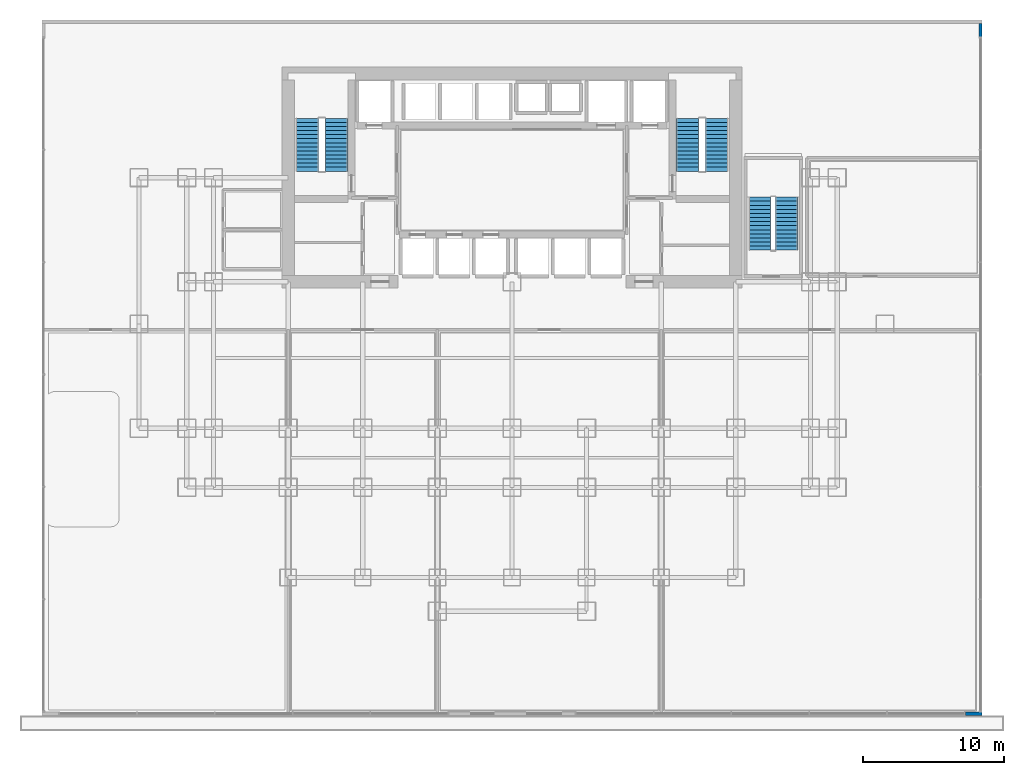
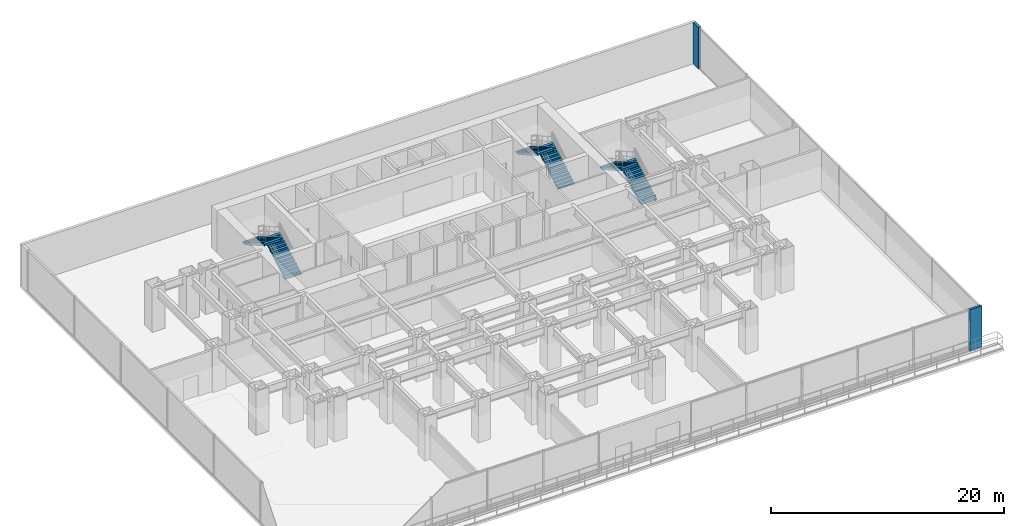
# One storey, part 11 of 13: 6 stair flights, 2 walls, 3 elements without a shape of their own.
"""IFC4 building model written with IfcOpenShell, lengths in metres."""

from ifc_helpers import new_model, si_unit, direction, frame, frame_2d, origin, place, context, subcontext, project, spatial, polyline, rectangle, outline, extrude, material, layer, layer_set, type_object, element, aggregate, save


model = new_model("IFC4")

# Units and contexts
model_context = context("Model", 3, precision=1e-05, world=origin(), true_north=direction((0.0, 1.0)))
body_context = subcontext(model_context, "Body", "Model", "MODEL_VIEW")
ifc_project = project(units=[si_unit("LENGTHUNIT", "METRE"), si_unit("AREAUNIT", "SQUARE_METRE"), si_unit("VOLUMEUNIT", "CUBIC_METRE"), si_unit("PLANEANGLEUNIT", "RADIAN"), si_unit("MASSUNIT", "GRAM", prefix="KILO")], contexts=[model_context])

# Site, building, storey
site_placement = place(None, origin())
site = spatial("IfcSite", under=ifc_project, at=site_placement, CompositionType="ELEMENT")
building_placement = place(site_placement, origin())
building = spatial("IfcBuilding", under=site, at=building_placement, Name="Qianlan Lanfeng Residences", CompositionType="ELEMENT")
storey_placement = place(building_placement, frame((0.0, 0.0, 9.800048828125)))
storey = spatial("IfcBuildingStorey", under=building, at=storey_placement, Name="L02", CompositionType="ELEMENT", Elevation=9.800048828125)

# Walls
ifc_material = material(Name="Concrete C42", Category="concrete")
ifc_layer = layer(ifc_material, 0.239990234375)
ifc_layer_set = layer_set([ifc_layer], Name="Concrete C42")
wall_type = type_object("IfcWallType", Name="EW-240", PredefinedType="SOLIDWALL", material=ifc_layer_set)
wall_1_placement = place(storey_placement, frame((58.699951171875, -5.47998046875, 0.0), z_axis=(0.0, 0.0, 1.0), x_axis=(1.0, 0.0, 0.0)))
element("IfcWall", 1, at=wall_1_placement, inside=storey, type_object=wall_type, Name="L02 SE Corner Pier", PredefinedType="SOLIDWALL", context=body_context, shape_type="SweptSolid", body=[
    extrude(rectangle(XDim=1.199951171875, YDim=0.239990234375, at=frame_2d((0.60009765625, 0.0))), origin(), (0.0, 0.0, 1.0), 4.349853515625),
])
wall_2_placement = place(storey_placement, frame((59.780029296875, 42.60009765625, 0.0), z_axis=(0.0, 0.0, 1.0), x_axis=(0.0, 1.0, 0.0)))
element("IfcWall", 2, at=wall_2_placement, inside=storey, type_object=wall_type, Name="L02 NE Corner Pier", PredefinedType="SOLIDWALL", context=body_context, shape_type="SweptSolid", body=[
    extrude(rectangle(XDim=0.93994140625, YDim=0.239990234375, at=frame_2d((0.469970703125, 0.0))), origin(), (0.0, 0.0, 1.0), 4.349853515625),
])

# Stair, stair flights
stair_type_1 = type_object("IfcStairType", Name="STR-POD", PredefinedType="HALF_TURN_STAIR", material=ifc_material)
stair_1_placement = place(storey_placement, origin())
stair_1 = element("IfcStair", 3, at=stair_1_placement, inside=storey, type_object=stair_type_1, Name="L02 Exit Stair ST-P1", PredefinedType="HALF_TURN_STAIR")
stair_flight_type_1 = type_object("IfcStairFlightType", Name="FLT-1650", PredefinedType="STRAIGHT", material=ifc_material)
stair_flight_1_placement = place(storey_placement, frame((46.010009765625, 27.449951171875, 0.0), z_axis=(0.0, 0.0, 1.0), x_axis=(0.0, 1.0, 0.0)))
stair_flight_1 = element("IfcStairFlight", 4, at=stair_flight_1_placement, type_object=stair_flight_type_1, Name="ST-P1 flight 1", NumberOfRisers=14, NumberOfTreads=13, PredefinedType="STRAIGHT", RiserHeight=0.164285714, TreadLength=0.29, context=body_context, shape_type="SweptSolid", body=[
    extrude(outline(polyline([(0.0, 0.0), (0.0, 0.164306640625), (0.2900390625, 0.164306640625), (0.2900390625, 0.32861328125), (0.580078125, 0.32861328125), (0.580078125, 0.492919921875), (0.8701171875, 0.492919921875), (0.8701171875, 0.6572265625), (1.159912109375, 0.6572265625), (1.159912109375, 0.821533203125), (1.449951171875, 0.821533203125), (1.449951171875, 0.985595703125), (1.739990234375, 0.985595703125), (1.739990234375, 1.14990234375), (2.030029296875, 1.14990234375), (2.030029296875, 1.314208984375), (2.320068359375, 1.314208984375), (2.320068359375, 1.478515625), (2.610107421875, 1.478515625), (2.610107421875, 1.642822265625), (2.89990234375, 1.642822265625), (2.89990234375, 1.80712890625), (3.18994140625, 1.80712890625), (3.18994140625, 1.971435546875), (3.47998046875, 1.971435546875), (3.47998046875, 2.1357421875), (3.77001953125, 2.1357421875), (3.77001953125, 2.300048828125), (3.77001953125, 1.928955078125), (0.364990234375, 0.0), (0.0, 0.0)])), frame((0.0, 0.7900390625, 0.0), z_axis=(0.0, -1.0, 0.0), x_axis=(1.0, 0.0, 0.0)), (0.0, 0.0, 1.0), 1.580078125),
])
stair_flight_2_placement = place(storey_placement, frame((44.110107421875, 31.219970703125, 2.300048828125), z_axis=(0.0, 0.0, 1.0), x_axis=(0.0, -1.0, 0.0)))
stair_flight_2 = element("IfcStairFlight", 5, at=stair_flight_2_placement, type_object=stair_flight_type_1, Name="ST-P1 flight 2", NumberOfRisers=14, NumberOfTreads=13, PredefinedType="STRAIGHT", RiserHeight=0.164285714, TreadLength=0.29, context=body_context, shape_type="SweptSolid", body=[
    extrude(outline(polyline([(0.0, 0.0), (0.0, 0.164306640625), (0.2900390625, 0.164306640625), (0.2900390625, 0.32861328125), (0.580078125, 0.32861328125), (0.580078125, 0.492919921875), (0.8701171875, 0.492919921875), (0.8701171875, 0.6572265625), (1.159912109375, 0.6572265625), (1.159912109375, 0.821533203125), (1.449951171875, 0.821533203125), (1.449951171875, 0.985595703125), (1.739990234375, 0.985595703125), (1.739990234375, 1.14990234375), (2.030029296875, 1.14990234375), (2.030029296875, 1.314208984375), (2.320068359375, 1.314208984375), (2.320068359375, 1.478515625), (2.610107421875, 1.478515625), (2.610107421875, 1.642822265625), (2.89990234375, 1.642822265625), (2.89990234375, 1.80712890625), (3.18994140625, 1.80712890625), (3.18994140625, 1.971435546875), (3.47998046875, 1.971435546875), (3.47998046875, 2.1357421875), (3.77001953125, 2.1357421875), (3.77001953125, 2.300048828125), (3.77001953125, 1.928955078125), (0.364990234375, 0.0), (0.0, 0.0)])), frame((0.0, 0.7900390625, 0.0), z_axis=(0.0, -1.0, 0.0), x_axis=(1.0, 0.0, 0.0)), (0.0, 0.0, 1.0), 1.580078125),
])
aggregate(stair_1, [stair_flight_1, stair_flight_2])

stair_type_2 = type_object("IfcStairType", Name="STR-MAIN", PredefinedType="HALF_TURN_STAIR", material=ifc_material)
stair_2_placement = place(storey_placement, origin())
stair_2 = element("IfcStair", 6, at=stair_2_placement, inside=storey, type_object=stair_type_2, Name="L02 Exit Stair ST-1", PredefinedType="HALF_TURN_STAIR")
stair_flight_type_2 = type_object("IfcStairFlightType", Name="FLT-1720", PredefinedType="STRAIGHT", material=ifc_material)
stair_flight_3_placement = place(storey_placement, frame((14.02001953125, 33.050048828125, 0.0), z_axis=(0.0, 0.0, 1.0), x_axis=(0.0, 1.0, 0.0)))
stair_flight_3 = element("IfcStairFlight", 7, at=stair_flight_3_placement, type_object=stair_flight_type_2, Name="ST-1 flight 1", NumberOfRisers=14, NumberOfTreads=13, PredefinedType="STRAIGHT", RiserHeight=0.164285714, TreadLength=0.29, context=body_context, shape_type="SweptSolid", body=[
    extrude(outline(polyline([(0.0, 0.0), (0.0, 0.164306640625), (0.2900390625, 0.164306640625), (0.2900390625, 0.32861328125), (0.580078125, 0.32861328125), (0.580078125, 0.492919921875), (0.8701171875, 0.492919921875), (0.8701171875, 0.6572265625), (1.159912109375, 0.6572265625), (1.159912109375, 0.821533203125), (1.449951171875, 0.821533203125), (1.449951171875, 0.985595703125), (1.739990234375, 0.985595703125), (1.739990234375, 1.14990234375), (2.030029296875, 1.14990234375), (2.030029296875, 1.314208984375), (2.320068359375, 1.314208984375), (2.320068359375, 1.478515625), (2.610107421875, 1.478515625), (2.610107421875, 1.642822265625), (2.89990234375, 1.642822265625), (2.89990234375, 1.80712890625), (3.18994140625, 1.80712890625), (3.18994140625, 1.971435546875), (3.47998046875, 1.971435546875), (3.47998046875, 2.1357421875), (3.77001953125, 2.1357421875), (3.77001953125, 2.300048828125), (3.77001953125, 1.928955078125), (0.364990234375, 0.0), (0.0, 0.0)])), frame((0.0, 0.800048828125, 0.0), z_axis=(0.0, -1.0, 0.0), x_axis=(1.0, 0.0, 0.0)), (0.0, 0.0, 1.0), 1.60009765625),
])
stair_flight_4_placement = place(storey_placement, frame((11.93994140625, 36.820068359375, 2.300048828125), z_axis=(0.0, 0.0, 1.0), x_axis=(0.0, -1.0, 0.0)))
stair_flight_4 = element("IfcStairFlight", 8, at=stair_flight_4_placement, type_object=stair_flight_type_2, Name="ST-1 flight 2", NumberOfRisers=14, NumberOfTreads=13, PredefinedType="STRAIGHT", RiserHeight=0.164285714, TreadLength=0.29, context=body_context, shape_type="SweptSolid", body=[
    extrude(outline(polyline([(0.0, 0.0), (0.0, 0.164306640625), (0.2900390625, 0.164306640625), (0.2900390625, 0.32861328125), (0.580078125, 0.32861328125), (0.580078125, 0.492919921875), (0.8701171875, 0.492919921875), (0.8701171875, 0.6572265625), (1.159912109375, 0.6572265625), (1.159912109375, 0.821533203125), (1.449951171875, 0.821533203125), (1.449951171875, 0.985595703125), (1.739990234375, 0.985595703125), (1.739990234375, 1.14990234375), (2.030029296875, 1.14990234375), (2.030029296875, 1.314208984375), (2.320068359375, 1.314208984375), (2.320068359375, 1.478515625), (2.610107421875, 1.478515625), (2.610107421875, 1.642822265625), (2.89990234375, 1.642822265625), (2.89990234375, 1.80712890625), (3.18994140625, 1.80712890625), (3.18994140625, 1.971435546875), (3.47998046875, 1.971435546875), (3.47998046875, 2.1357421875), (3.77001953125, 2.1357421875), (3.77001953125, 2.300048828125), (3.77001953125, 1.928955078125), (0.364990234375, 0.0), (0.0, 0.0)])), frame((0.0, 0.800048828125, 0.0), z_axis=(0.0, -1.0, 0.0), x_axis=(1.0, 0.0, 0.0)), (0.0, 0.0, 1.0), 1.60009765625),
])
aggregate(stair_2, [stair_flight_3, stair_flight_4])

stair_3_placement = place(storey_placement, origin())
stair_3 = element("IfcStair", 9, at=stair_3_placement, inside=storey, type_object=stair_type_2, Name="L02 Exit Stair ST-2", PredefinedType="HALF_TURN_STAIR")
stair_flight_5_placement = place(storey_placement, frame((41.06005859375, 33.050048828125, 0.0), z_axis=(0.0, 0.0, 1.0), x_axis=(0.0, 1.0, 0.0)))
stair_flight_5 = element("IfcStairFlight", 10, at=stair_flight_5_placement, type_object=stair_flight_type_2, Name="ST-2 flight 1", NumberOfRisers=14, NumberOfTreads=13, PredefinedType="STRAIGHT", RiserHeight=0.164285714, TreadLength=0.29, context=body_context, shape_type="SweptSolid", body=[
    extrude(outline(polyline([(0.0, 0.0), (0.0, 0.164306640625), (0.2900390625, 0.164306640625), (0.2900390625, 0.32861328125), (0.580078125, 0.32861328125), (0.580078125, 0.492919921875), (0.8701171875, 0.492919921875), (0.8701171875, 0.6572265625), (1.159912109375, 0.6572265625), (1.159912109375, 0.821533203125), (1.449951171875, 0.821533203125), (1.449951171875, 0.985595703125), (1.739990234375, 0.985595703125), (1.739990234375, 1.14990234375), (2.030029296875, 1.14990234375), (2.030029296875, 1.314208984375), (2.320068359375, 1.314208984375), (2.320068359375, 1.478515625), (2.610107421875, 1.478515625), (2.610107421875, 1.642822265625), (2.89990234375, 1.642822265625), (2.89990234375, 1.80712890625), (3.18994140625, 1.80712890625), (3.18994140625, 1.971435546875), (3.47998046875, 1.971435546875), (3.47998046875, 2.1357421875), (3.77001953125, 2.1357421875), (3.77001953125, 2.300048828125), (3.77001953125, 1.928955078125), (0.364990234375, 0.0), (0.0, 0.0)])), frame((0.0, 0.800048828125, 0.0), z_axis=(0.0, -1.0, 0.0), x_axis=(1.0, 0.0, 0.0)), (0.0, 0.0, 1.0), 1.60009765625),
])
stair_flight_6_placement = place(storey_placement, frame((38.97998046875, 36.820068359375, 2.300048828125), z_axis=(0.0, 0.0, 1.0), x_axis=(0.0, -1.0, 0.0)))
stair_flight_6 = element("IfcStairFlight", 11, at=stair_flight_6_placement, type_object=stair_flight_type_2, Name="ST-2 flight 2", NumberOfRisers=14, NumberOfTreads=13, PredefinedType="STRAIGHT", RiserHeight=0.164285714, TreadLength=0.29, context=body_context, shape_type="SweptSolid", body=[
    extrude(outline(polyline([(0.0, 0.0), (0.0, 0.164306640625), (0.2900390625, 0.164306640625), (0.2900390625, 0.32861328125), (0.580078125, 0.32861328125), (0.580078125, 0.492919921875), (0.8701171875, 0.492919921875), (0.8701171875, 0.6572265625), (1.159912109375, 0.6572265625), (1.159912109375, 0.821533203125), (1.449951171875, 0.821533203125), (1.449951171875, 0.985595703125), (1.739990234375, 0.985595703125), (1.739990234375, 1.14990234375), (2.030029296875, 1.14990234375), (2.030029296875, 1.314208984375), (2.320068359375, 1.314208984375), (2.320068359375, 1.478515625), (2.610107421875, 1.478515625), (2.610107421875, 1.642822265625), (2.89990234375, 1.642822265625), (2.89990234375, 1.80712890625), (3.18994140625, 1.80712890625), (3.18994140625, 1.971435546875), (3.47998046875, 1.971435546875), (3.47998046875, 2.1357421875), (3.77001953125, 2.1357421875), (3.77001953125, 2.300048828125), (3.77001953125, 1.928955078125), (0.364990234375, 0.0), (0.0, 0.0)])), frame((0.0, 0.800048828125, 0.0), z_axis=(0.0, -1.0, 0.0), x_axis=(1.0, 0.0, 0.0)), (0.0, 0.0, 1.0), 1.60009765625),
])
aggregate(stair_3, [stair_flight_5, stair_flight_6])

save(model, "model.ifc")
